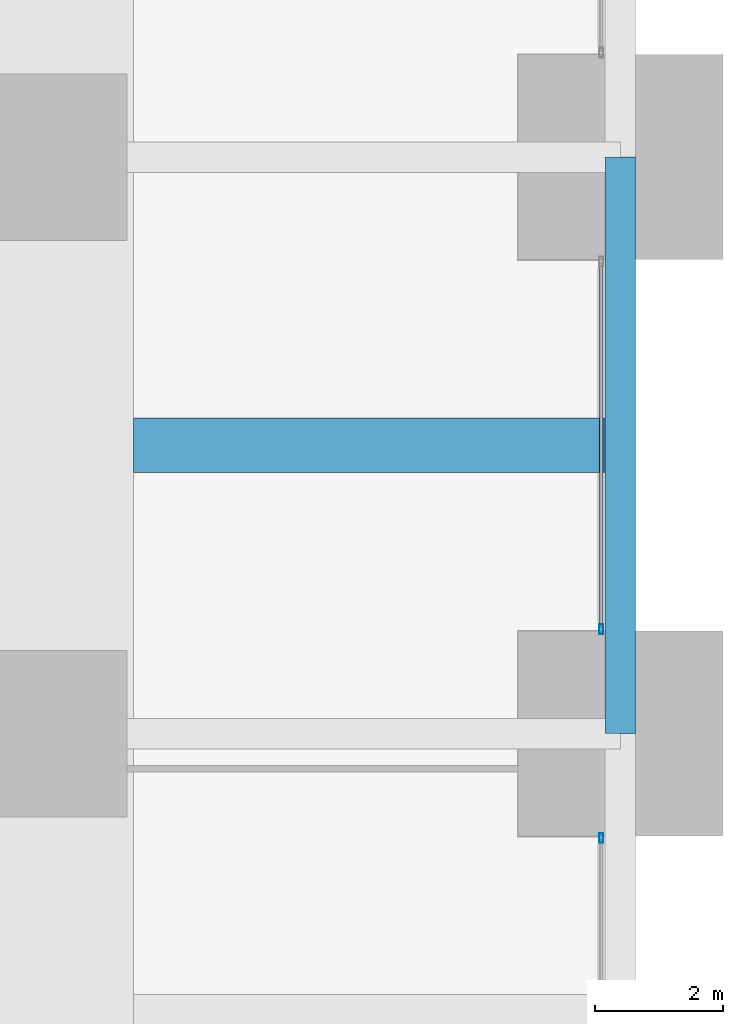
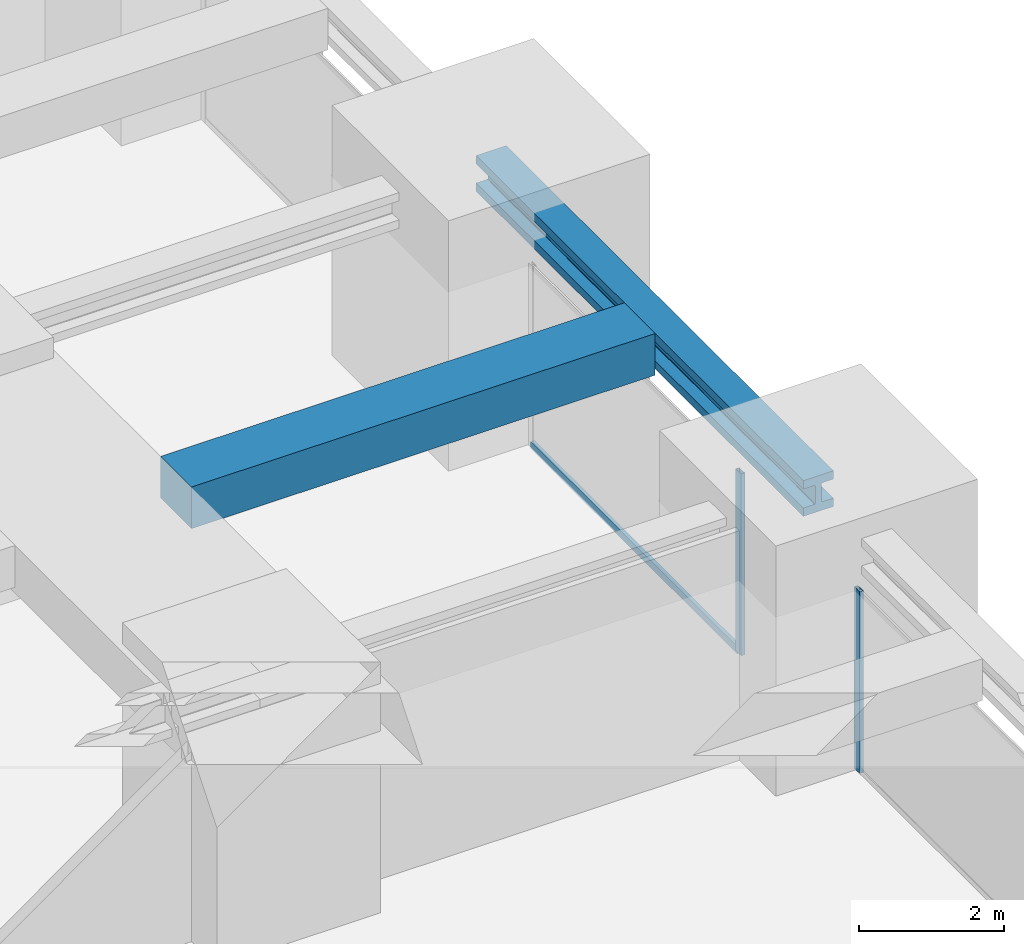
# One storey, part 24 of 45: 3 members, 2 beams, 2 elements without a shape of their own.
"""IFC4 building model written with IfcOpenShell, lengths in metres."""

import ifcopenshell
import ifcopenshell.guid

model = None  # the IFC model being written
_history = None  # IfcOwnerHistory: only IFC2X3 demands one
_inside = {}  # id of a spatial element -> (the spatial element, [elements in it])
_under = {}  # id of a project, library or spatial element -> (it, [spatial elements below it])
_declared = {}  # id of a project -> (the project, [libraries it declares])
_typed = {}  # id of a type object -> (the type object, [elements of that type])
_made_of = {}  # id of a material, layer set ... -> (it, [elements and type objects made of it])


def new_model(schema):
    """Start an empty IFC model of exactly this schema.

    Asked for "IFC4X3", IfcOpenShell would pick the latest addendum, in which some entities
    have other attributes; the version numbers below select the first issue.
    IFC2X3 requires an IfcOwnerHistory on every rooted entity: one is made here for all.
    """
    global model, _history
    if schema == "IFC4X3":
        model = ifcopenshell.file(schema_version=(4, 3, 0, 0))
    else:
        model = ifcopenshell.file(schema=schema)
    _inside.clear()
    _under.clear()
    _declared.clear()
    _typed.clear()
    _made_of.clear()
    _history = None
    if model.schema == "IFC2X3":
        org = make("IfcOrganization", Name="unknown")
        user = make(
            "IfcPersonAndOrganization",
            ThePerson=make("IfcPerson", FamilyName="unknown"),
            TheOrganization=org,
        )
        app = make(
            "IfcApplication",
            ApplicationDeveloper=org,
            Version="unknown",
            ApplicationFullName="unknown",
            ApplicationIdentifier="unknown",
        )
        _history = make(
            "IfcOwnerHistory",
            OwningUser=user,
            OwningApplication=app,
            ChangeAction="ADDED",
            CreationDate=0,
        )
    return model


def make(cls, **values):
    """One entity of the class cls with the attributes given. An attribute that is None is left unset."""
    return model.create_entity(
        cls, **{name: value for name, value in values.items() if value is not None}
    )


def rooted(cls, **values):
    """An entity with a GlobalId (a new one), such as an element, a storey or a relation."""
    return make(cls, GlobalId=ifcopenshell.guid.new(), OwnerHistory=_history, **values)


def si_unit(unit_type, name, prefix=None):
    """IfcSIUnit, for example si_unit("LENGTHUNIT", "METRE", prefix="MILLI")."""
    return make("IfcSIUnit", UnitType=unit_type, Prefix=prefix, Name=name)


def assignment(units):
    """IfcUnitAssignment: the units of a project."""
    return None if units is None else make("IfcUnitAssignment", Units=units)


def point(xyz):
    """IfcCartesianPoint."""
    return None if xyz is None else make("IfcCartesianPoint", Coordinates=xyz)


def direction(xyz):
    """IfcDirection."""
    return None if xyz is None else make("IfcDirection", DirectionRatios=xyz)


def frame(location, z_axis=None, x_axis=None):
    """IfcAxis2Placement3D, a coordinate frame: its origin and axes. An axis left out is left unset."""
    return make(
        "IfcAxis2Placement3D",
        Location=point(location),
        Axis=direction(z_axis),
        RefDirection=direction(x_axis),
    )


def frame_2d(location, x_axis=None):
    """IfcAxis2Placement2D, a coordinate frame in the plane: its origin and x axis."""
    return make(
        "IfcAxis2Placement2D", Location=point(location), RefDirection=direction(x_axis)
    )


def origin():
    """The frame at (0, 0, 0) with its axes left unset."""
    return frame((0.0, 0.0, 0.0))


def origin_2d():
    """The frame at (0, 0) in the plane with its x axis left unset."""
    return frame_2d((0.0, 0.0))


def place(relative_to, where):
    """IfcLocalPlacement: puts the frame where relative to a parent placement (None: the world)."""
    return make(
        "IfcLocalPlacement", PlacementRelTo=relative_to, RelativePlacement=where
    )


def context(
    kind, dimensions, precision=None, world=None, true_north=None, identifier=None
):
    """IfcGeometricRepresentationContext, for example the 3D "Model" context."""
    return make(
        "IfcGeometricRepresentationContext",
        ContextIdentifier=identifier,
        ContextType=kind,
        CoordinateSpaceDimension=dimensions,
        Precision=precision,
        WorldCoordinateSystem=world,
        TrueNorth=true_north,
    )


def subcontext(parent, identifier, kind, view, scale=None):
    """IfcGeometricRepresentationSubContext, for example "Body" below "Model"."""
    return make(
        "IfcGeometricRepresentationSubContext",
        ContextIdentifier=identifier,
        ContextType=kind,
        ParentContext=parent,
        TargetScale=scale,
        TargetView=view,
    )


def project(units=None, contexts=None):
    """IfcProject with its units and contexts."""
    return rooted(
        "IfcProject",
        Name="project",
        RepresentationContexts=contexts,
        UnitsInContext=assignment(units),
    )


def spatial(cls, under=None, at=None, **own):
    """A site, building, storey or space (cls), placed at a placement, below another one or the project."""
    s = rooted(cls, ObjectPlacement=at, **own)
    if under is not None:
        _under.setdefault(under.id(), (under, []))[1].append(s)
    return s


def profile(cls, at=None, kind="AREA", **sizes):
    """A parametric profile (cls). Its sizes go by their IFC names, for example OverallWidth=200.0."""
    return make(cls, ProfileType=kind, Position=at, **sizes)


def rectangle(**sizes):
    """IfcRectangleProfileDef."""
    return profile("IfcRectangleProfileDef", **sizes)


def hollow_rectangle(**sizes):
    """IfcRectangleHollowProfileDef."""
    return profile("IfcRectangleHollowProfileDef", **sizes)


def i_section(**sizes):
    """IfcIShapeProfileDef."""
    return profile("IfcIShapeProfileDef", **sizes)


def extrude(swept, where, along, depth):
    """IfcExtrudedAreaSolid: the profile swept, set in the frame where, extruded along a direction by depth."""
    return make(
        "IfcExtrudedAreaSolid",
        SweptArea=swept,
        Position=where,
        ExtrudedDirection=direction(along),
        Depth=depth,
    )


def shape(context_of_items, identifier, shape_type, items):
    """IfcShapeRepresentation: the items that make up one representation, for example the "Body"."""
    return make(
        "IfcShapeRepresentation",
        ContextOfItems=context_of_items,
        RepresentationIdentifier=identifier,
        RepresentationType=shape_type,
        Items=items,
    )


def material(Name=None, Category=None):
    """IfcMaterial."""
    return make("IfcMaterial", Name=Name, Category=Category)


def material_profile(
    of_material, cross_section, Name=None, Category=None, Priority=None
):
    """IfcMaterialProfile: a cross section and its material."""
    return make(
        "IfcMaterialProfile",
        Name=Name,
        Material=of_material,
        Profile=cross_section,
        Priority=Priority,
        Category=Category,
    )


def profile_set(profiles, Name=None, composite=None):
    """IfcMaterialProfileSet."""
    return make(
        "IfcMaterialProfileSet",
        Name=Name,
        MaterialProfiles=profiles,
        CompositeProfile=composite,
    )


def made_of(thing, what):
    """Note that an element or type object is made of a material, layer set ...; save() writes the relation."""
    if what is not None:
        _made_of.setdefault(what.id(), (what, []))[1].append(thing)
    return thing


def type_object(cls, material=None, **own):
    """A type object (cls), such as IfcWallType, which elements share."""
    return made_of(rooted(cls, **own), material)


def element(
    cls,
    number,
    at=None,
    inside=None,
    cuts=None,
    type_object=None,
    material=None,
    context=None,
    identifier="Body",
    shape_type=None,
    held_by="IfcProductDefinitionShape",
    body=None,
    shapes=None,
    **own,
):
    """One element of the class cls, such as IfcWall. Its Tag is "e" and its number.

    at: its placement. inside: the storey or other place that contains it. cuts: it is an
    opening in that element (IfcRelVoidsElement). A single representation is given by context,
    identifier, shape_type and body (its items); several are given by shapes. held_by: the class
    of the entity that holds the representations. save() writes the other relations.
    """
    e = rooted(cls, Tag="e%d" % number, ObjectPlacement=at, **own)
    if body is not None:
        shapes = [shape(context, identifier, shape_type, body)]
    if shapes is not None:
        e.Representation = make(held_by, Representations=shapes)
    if inside is not None:
        _inside.setdefault(inside.id(), (inside, []))[1].append(e)
    if cuts is not None:
        rooted(
            "IfcRelVoidsElement", RelatingBuildingElement=cuts, RelatedOpeningElement=e
        )
    if type_object is not None:
        _typed.setdefault(type_object.id(), (type_object, []))[1].append(e)
    return made_of(e, material)


def aggregate(whole, parts):
    """IfcRelAggregates: a whole, such as a stair, and the parts it consists of."""
    return rooted("IfcRelAggregates", RelatingObject=whole, RelatedObjects=parts)


def save(model, path):
    """Write the relations noted so far, then the file.

    IfcRelAggregates (storeys below a building ...), IfcRelContainedInSpatialStructure (elements
    in a storey), IfcRelDefinesByType, IfcRelAssociatesMaterial and IfcRelDeclares: one each for
    every whole, place, type object, material and project.
    """
    for whole, parts in _under.values():
        aggregate(whole, parts)
    for where, things in _inside.values():
        rooted(
            "IfcRelContainedInSpatialStructure",
            RelatedElements=things,
            RelatingStructure=where,
        )
    for kind, things in _typed.values():
        rooted("IfcRelDefinesByType", RelatedObjects=things, RelatingType=kind)
    for what, things in _made_of.values():
        rooted("IfcRelAssociatesMaterial", RelatedObjects=things, RelatingMaterial=what)
    for by, libraries in _declared.values():
        rooted("IfcRelDeclares", RelatingContext=by, RelatedDefinitions=libraries)
    model.write(path)


model = new_model("IFC4")

# Units and contexts
model_context = context("Model", 3, precision=1e-05, world=origin(), true_north=direction((0.0, 1.0)))
body_context = subcontext(model_context, "Body", "Model", "MODEL_VIEW")
ifc_project = project(units=[si_unit("LENGTHUNIT", "METRE"), si_unit("AREAUNIT", "SQUARE_METRE"), si_unit("VOLUMEUNIT", "CUBIC_METRE"), si_unit("PLANEANGLEUNIT", "RADIAN"), si_unit("MASSUNIT", "GRAM", prefix="KILO")], contexts=[model_context])

# Site, building, storey
site_placement = place(None, origin())
site = spatial("IfcSite", under=ifc_project, at=site_placement, CompositionType="ELEMENT")
building_placement = place(site_placement, origin())
building = spatial("IfcBuilding", under=site, at=building_placement, Name="Zorevar Civic Tower", CompositionType="ELEMENT")
storey_placement = place(building_placement, frame((0.0, 0.0, 153.0)))
storey = spatial("IfcBuildingStorey", under=building, at=storey_placement, Name="L37", CompositionType="ELEMENT", Elevation=153.0)

# Beams
ifc_material_1 = material(Name="Concrete C50/60", Category="concrete")
ifc_material_profile_1 = material_profile(ifc_material_1, rectangle(XDim=0.85009765625, YDim=0.699951171875, at=origin_2d()), Name="RC 850x700")
ifc_profile_set_1 = profile_set([ifc_material_profile_1], Name="Concrete C50/60")
beam_type_1 = type_object("IfcBeamType", Name="Beam RC 850x700", PredefinedType="BEAM", material=ifc_profile_set_1)
beam_1_placement = place(storey_placement, frame((55.39990234375, 22.5, 3.5), z_axis=(1.0, 0.0, 0.0), x_axis=(0.0, 1.0, 0.0)))
element("IfcBeam", 1, at=beam_1_placement, inside=storey, type_object=beam_type_1, Name="Secondary beam L38", PredefinedType="BEAM", context=body_context, shape_type="SweptSolid", body=[
    extrude(rectangle(XDim=0.85009765625, YDim=0.699951171875, at=origin_2d()), origin(), (0.0, 0.0, 1.0), 7.362060546875),
])
ifc_material_2 = material(Name="Steel S460M (HISTAR 460)", Category="steel")
ifc_material_profile_2 = material_profile(ifc_material_2, i_section(OverallWidth=0.47607421875, OverallDepth=0.60009765625, WebThickness=0.10009765625, FlangeThickness=0.139892578125, FilletRadius=0.014892578125, at=origin_2d()), Name="HD 400x1299")
ifc_profile_set_2 = profile_set([ifc_material_profile_2], Name="Steel S460M (HISTAR 460)")
beam_type_2 = type_object("IfcBeamType", Name="Belt chord HD 400x1299", PredefinedType="BEAM", material=ifc_profile_set_2)
beam_2_placement = place(storey_placement, frame((63.0, 18.0, 3.550048828125), z_axis=(0.0, 1.0, 0.0), x_axis=(-1.0, 0.0, 0.0)))
element("IfcBeam", 2, at=beam_2_placement, inside=storey, type_object=beam_type_2, Name="Belt chord L38", PredefinedType="BEAM", context=body_context, shape_type="SweptSolid", body=[
    extrude(i_section(OverallWidth=0.47607421875, OverallDepth=0.60009765625, WebThickness=0.10009765625, FlangeThickness=0.139892578125, FilletRadius=0.014892578125, at=origin_2d()), origin(), (0.0, 0.0, 1.0), 9.0),
])

# Curtain wall, member
ifc_material_3 = material(Name="Dark grey solar-control glass in black aluminium frame", Category="aluminium")
curtain_wall_type = type_object("IfcCurtainWallType", Name="Curtain wall CW3 mid zone", PredefinedType="NOTDEFINED", material=ifc_material_3)
curtain_wall_1_placement = place(storey_placement, origin())
curtain_wall_1 = element("IfcCurtainWall", 3, at=curtain_wall_1_placement, inside=storey, type_object=curtain_wall_type, Name="CW3 L37", PredefinedType="NOTDEFINED")
ifc_material_4 = material(Name="Aluminium, black anodised", Category="aluminium")
ifc_material_profile_3 = material_profile(ifc_material_4, hollow_rectangle(XDim=0.06005859375, YDim=0.14990234375, WallThickness=0.00390625, at=origin_2d()), Name="AL 150x60x4")
ifc_profile_set_3 = profile_set([ifc_material_profile_3], Name="Aluminium, black anodised")
member_type_1 = type_object("IfcMemberType", Name="CW3 mullion AL 150x60x4", PredefinedType="MULLION", material=ifc_profile_set_3)
member_1_placement = place(storey_placement, frame((62.699951171875, 16.3701171875, 0.0), z_axis=(0.0, 0.0, 1.0), x_axis=(-1.0, 0.0, 0.0)))
member_1 = element("IfcMember", 4, at=member_1_placement, type_object=member_type_1, Name="CW3 mullion 2", PredefinedType="MULLION", context=body_context, shape_type="SweptSolid", body=[
    extrude(hollow_rectangle(XDim=0.06005859375, YDim=0.14990234375, WallThickness=0.00390625, at=origin_2d()), origin(), (0.0, 0.0, 1.0), 3.050048828125),
])
aggregate(curtain_wall_1, [member_1])

# Curtain wall, members
curtain_wall_2_placement = place(storey_placement, origin())
curtain_wall_2 = element("IfcCurtainWall", 5, at=curtain_wall_2_placement, inside=storey, type_object=curtain_wall_type, Name="CW3 L37", PredefinedType="NOTDEFINED")
member_2_placement = place(storey_placement, frame((62.699951171875, 19.6298828125, 0.0), z_axis=(0.0, 0.0, 1.0), x_axis=(-1.0, 0.0, 0.0)))
member_2 = element("IfcMember", 6, at=member_2_placement, type_object=member_type_1, Name="CW3 mullion 1", PredefinedType="MULLION", context=body_context, shape_type="SweptSolid", body=[
    extrude(hollow_rectangle(XDim=0.06005859375, YDim=0.14990234375, WallThickness=0.00390625, at=origin_2d()), origin(), (0.0, 0.0, 1.0), 3.050048828125),
])
ifc_material_5 = material(Name="Aluminium, black anodised", Category="aluminium")
ifc_material_profile_4 = material_profile(ifc_material_5, hollow_rectangle(XDim=0.06005859375, YDim=0.1201171875, WallThickness=0.0029296875, at=origin_2d()), Name="AL 120x60x3")
ifc_profile_set_4 = profile_set([ifc_material_profile_4], Name="Aluminium, black anodised")
member_type_2 = type_object("IfcMemberType", Name="CW3 transom AL 120x60x3", PredefinedType="USERDEFINED", material=ifc_profile_set_4)
member_3_placement = place(storey_placement, frame((62.699951171875, 19.659912109375, 0.030029296875), z_axis=(0.0, 1.0, 0.0), x_axis=(-1.0, 0.0, 0.0)))
member_3 = element("IfcMember", 7, at=member_3_placement, type_object=member_type_2, Name="CW3 sill transom", ObjectType="TRANSOM", PredefinedType="USERDEFINED", context=body_context, shape_type="SweptSolid", body=[
    extrude(hollow_rectangle(XDim=0.06005859375, YDim=0.1201171875, WallThickness=0.0029296875, at=origin_2d()), origin(), (0.0, 0.0, 1.0), 5.68017578125),
])
aggregate(curtain_wall_2, [member_2, member_3])

save(model, "model.ifc")
